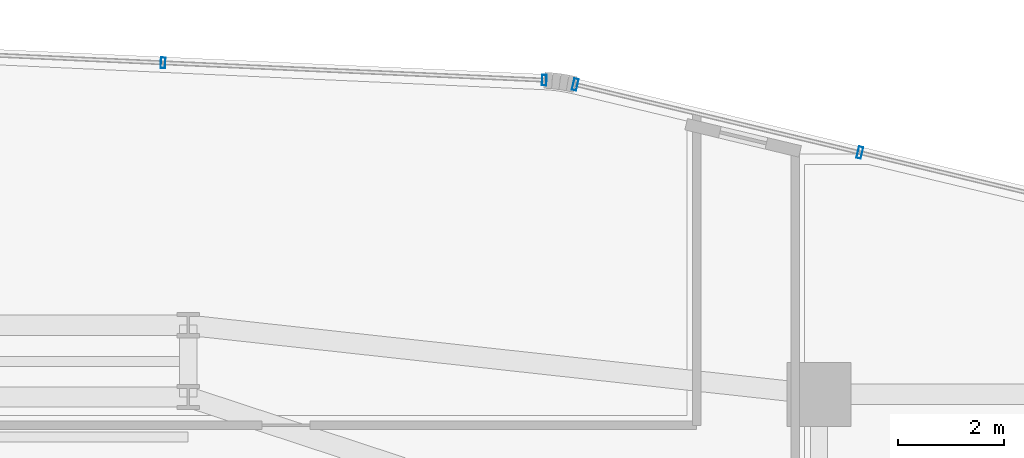
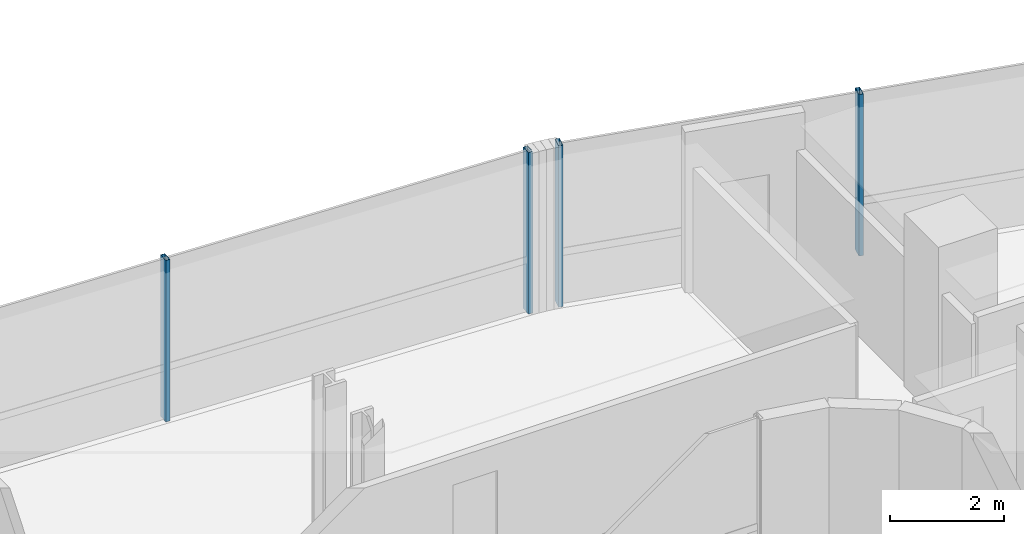
# One storey, part 22 of 34: 4 members, 2 elements without a shape of their own.
"""IFC4 building model written with IfcOpenShell, lengths in metres."""

from ifc_helpers import new_model, si_unit, direction, frame, origin, origin_2d, place, context, subcontext, project, spatial, hollow_rectangle, extrude, source, transform, mapped, material, material_profile, profile_set, type_object, element, aggregate, save


model = new_model("IFC4")

# Units and contexts
model_context = context("Model", 3, precision=1e-05, world=origin(), true_north=direction((0.0, 1.0)))
body_context = subcontext(model_context, "Body", "Model", "MODEL_VIEW")
ifc_project = project(units=[si_unit("LENGTHUNIT", "METRE"), si_unit("AREAUNIT", "SQUARE_METRE"), si_unit("VOLUMEUNIT", "CUBIC_METRE"), si_unit("PLANEANGLEUNIT", "RADIAN"), si_unit("MASSUNIT", "GRAM", prefix="KILO")], contexts=[model_context])

# Site, building, storey
site_placement = place(None, origin())
site = spatial("IfcSite", under=ifc_project, at=site_placement, CompositionType="ELEMENT")
building_placement = place(site_placement, origin())
building = spatial("IfcBuilding", under=site, at=building_placement, Name="Valdorenza Pilgrim Sanctuary Tower", CompositionType="ELEMENT")
storey_placement = place(building_placement, frame((0.0, 0.0, 146.39990234375)))
storey = spatial("IfcBuildingStorey", under=building, at=storey_placement, Name="L37", CompositionType="ELEMENT", Elevation=146.39990234375)

# Curtain wall, members
ifc_material_1 = material(Name="Curtain-wall IGU glazing", Category="glass")
curtain_wall_type_1 = type_object("IfcCurtainWallType", Name="CW-SYS-02", PredefinedType="NOTDEFINED", material=ifc_material_1)
curtain_wall_1_placement = place(storey_placement, origin())
curtain_wall_1 = element("IfcCurtainWall", 1, at=curtain_wall_1_placement, inside=storey, type_object=curtain_wall_type_1, Name="L37 Curtain Wall CW-L37-1-11", PredefinedType="NOTDEFINED")
ifc_material_2 = material(Name="Anodised aluminium AW-6060", Category="aluminium")
ifc_material_profile_1 = material_profile(ifc_material_2, hollow_rectangle(XDim=0.0849609375, YDim=0.199951171875, WallThickness=0.0048828125, at=origin_2d()), Name="ALU-M 200x85x5")
ifc_profile_set_1 = profile_set([ifc_material_profile_1], Name="Anodised aluminium AW-6060")
member_type_1 = type_object("IfcMemberType", Name="CW-MUL-02", PredefinedType="MULLION", material=ifc_profile_set_1)
shared_shape_1 = source(origin(), body_context, "Body", "SweptSolid", [
    extrude(hollow_rectangle(XDim=0.0849609375, YDim=0.199951171875, WallThickness=0.0048828125, at=origin_2d()), origin(), (0.0, 0.0, 1.0), 3.460205078125),
])
member_1_placement = place(storey_placement, frame((3.528076171875, 19.7294921875, 0.0), z_axis=(0.0, 0.0, 1.0), x_axis=(0.998968193221, -0.045415294044, 0.0)))
member_1 = element("IfcMember", 2, at=member_1_placement, type_object=member_type_1, Name="CW-L37-1-11 Mullion 3", PredefinedType="MULLION", context=body_context, shape_type="MappedRepresentation", body=[
    mapped(shared_shape_1, transform((0.0, 0.0, 0.0), x_axis=(1.0, 0.0, 0.0), y_axis=(0.0, 1.0, 0.0), z_axis=(0.0, 0.0, 1.0), scale=1.0)),
])
member_2_placement = place(storey_placement, frame((10.68994140625, 19.404052734375, 0.0), z_axis=(0.0, 0.0, 1.0), x_axis=(0.998968193221, -0.045415294044, 0.0)))
member_2 = element("IfcMember", 3, at=member_2_placement, type_object=member_type_1, Name="CW-L37-1-11 Mullion 4", PredefinedType="MULLION", context=body_context, shape_type="MappedRepresentation", body=[
    mapped(shared_shape_1, transform((0.0, 0.0, 0.0), x_axis=(1.0, 0.0, 0.0), y_axis=(0.0, 1.0, 0.0), z_axis=(0.0, 0.0, 1.0), scale=1.0)),
])
aggregate(curtain_wall_1, [member_1, member_2])

curtain_wall_type_2 = type_object("IfcCurtainWallType", Name="CW-SYS-03", PredefinedType="NOTDEFINED", material=ifc_material_1)
curtain_wall_2_placement = place(storey_placement, origin())
curtain_wall_2 = element("IfcCurtainWall", 4, at=curtain_wall_2_placement, inside=storey, type_object=curtain_wall_type_2, Name="L37 Curtain Wall CW-L37-1-16", PredefinedType="NOTDEFINED")
ifc_material_profile_2 = material_profile(ifc_material_2, hollow_rectangle(XDim=0.0849609375, YDim=0.219970703125, WallThickness=0.0048828125, at=origin_2d()), Name="ALU-M 220x85x5")
ifc_profile_set_2 = profile_set([ifc_material_profile_2], Name="Anodised aluminium AW-6060")
member_type_2 = type_object("IfcMemberType", Name="CW-MUL-03", PredefinedType="MULLION", material=ifc_profile_set_2)
shared_shape_2 = source(origin(), body_context, "Body", "SweptSolid", [
    extrude(hollow_rectangle(XDim=0.0849609375, YDim=0.219970703125, WallThickness=0.0048828125, at=origin_2d()), origin(), (0.0, 0.0, 1.0), 3.460205078125),
])
member_3_placement = place(storey_placement, frame((11.271484375, 19.322021484375, 0.0), z_axis=(0.0, 0.0, 1.0), x_axis=(0.972528596343, -0.232783438617, 0.0)))
member_3 = element("IfcMember", 5, at=member_3_placement, type_object=member_type_2, Name="CW-L37-1-16 Mullion 1", PredefinedType="MULLION", context=body_context, shape_type="MappedRepresentation", body=[
    mapped(shared_shape_2, transform((0.0, 0.0, 0.0), x_axis=(1.0, 0.0, 0.0), y_axis=(0.0, 1.0, 0.0), z_axis=(0.0, 0.0, 1.0), scale=1.0)),
])
member_4_placement = place(storey_placement, frame((16.617919921875, 18.042236328125, 0.0), z_axis=(0.0, 0.0, 1.0), x_axis=(0.972528596343, -0.232783438617, 0.0)))
member_4 = element("IfcMember", 6, at=member_4_placement, type_object=member_type_2, Name="CW-L37-1-16 Mullion 2", PredefinedType="MULLION", context=body_context, shape_type="MappedRepresentation", body=[
    mapped(shared_shape_2, transform((0.0, 0.0, 0.0), x_axis=(1.0, 0.0, 0.0), y_axis=(0.0, 1.0, 0.0), z_axis=(0.0, 0.0, 1.0), scale=1.0)),
])
aggregate(curtain_wall_2, [member_3, member_4])

save(model, "model.ifc")
